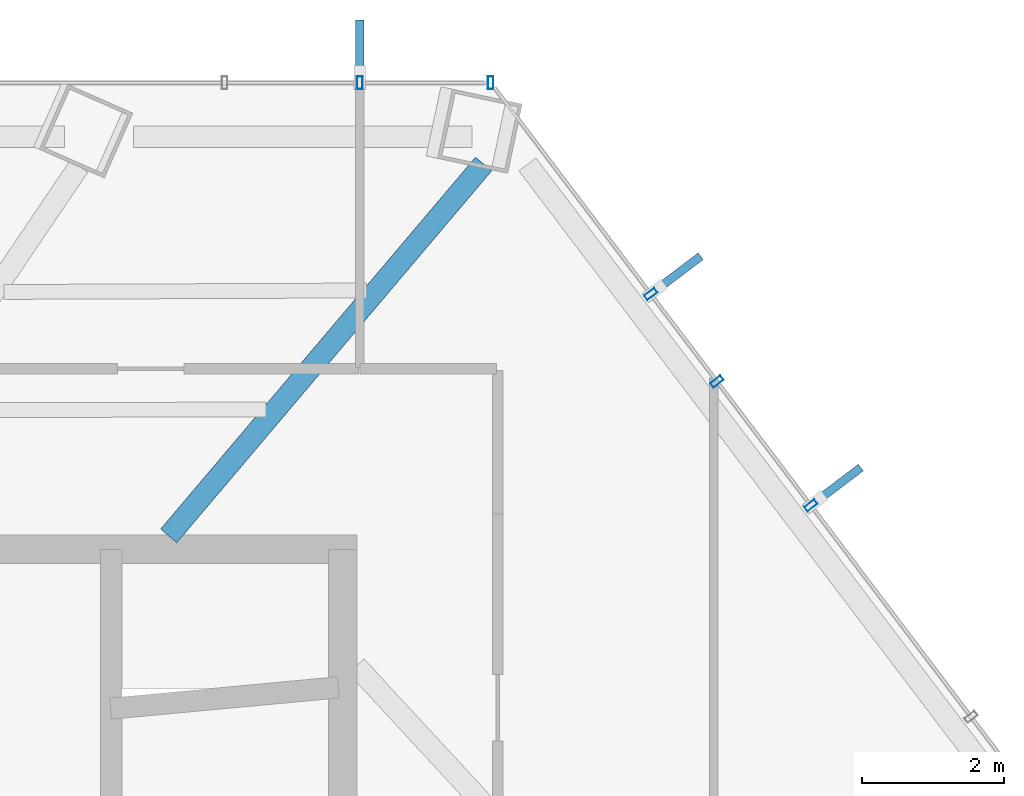
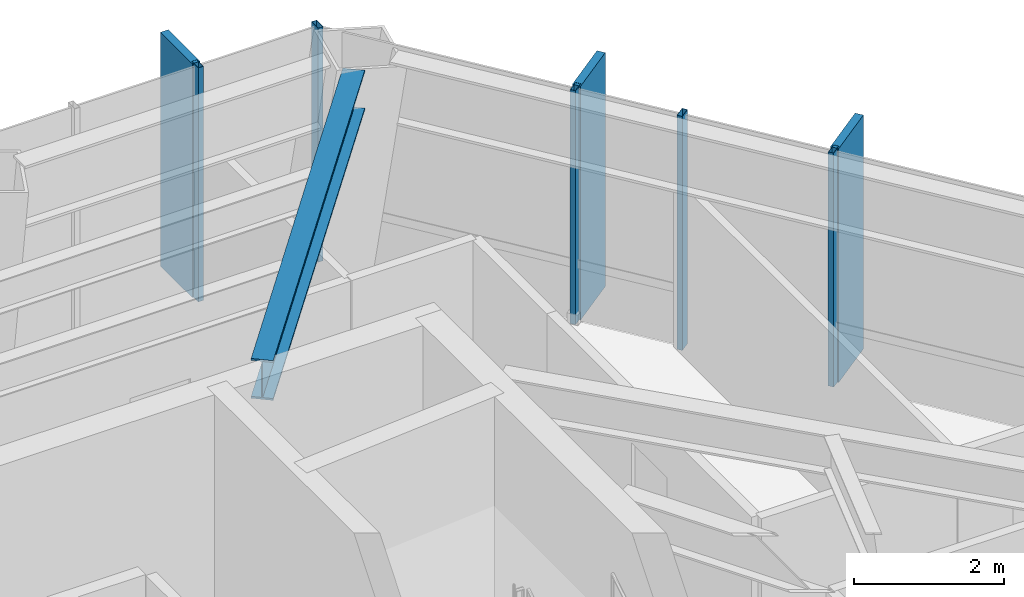
# One storey, part 22 of 27: 8 members, 1 beam, 2 elements without a shape of their own.
"""IFC4 building model written with IfcOpenShell, lengths in metres."""

from ifc_helpers import new_model, si_unit, direction, frame, origin, origin_2d, place, context, subcontext, project, spatial, rectangle, hollow_rectangle, i_section, extrude, material, layer, layer_set, material_profile, profile_set, type_object, element, aggregate, save


model = new_model("IFC4")

# Units and contexts
model_context = context("Model", 3, precision=1e-05, world=origin(), true_north=direction((0.0, 1.0)))
body_context = subcontext(model_context, "Body", "Model", "MODEL_VIEW")
ifc_project = project(units=[si_unit("LENGTHUNIT", "METRE"), si_unit("AREAUNIT", "SQUARE_METRE"), si_unit("VOLUMEUNIT", "CUBIC_METRE"), si_unit("PLANEANGLEUNIT", "RADIAN"), si_unit("MASSUNIT", "GRAM", prefix="KILO")], contexts=[model_context])

# Site, building, storey
site_placement = place(None, origin())
site = spatial("IfcSite", under=ifc_project, at=site_placement, CompositionType="ELEMENT")
building_placement = place(site_placement, origin())
building = spatial("IfcBuilding", under=site, at=building_placement, Name="Zarrinselat Tower", CompositionType="ELEMENT")
storey_placement = place(building_placement, frame((0.0, 0.0, 47.93994140625)))
storey = spatial("IfcBuildingStorey", under=building, at=storey_placement, Name="L11", CompositionType="ELEMENT", Elevation=47.93994140625)

# Beam
ifc_material_1 = material(Name="Steel S355J2", Category="steel")
ifc_material_profile_1 = material_profile(ifc_material_1, i_section(OverallWidth=0.300048828125, OverallDepth=0.64990234375, WebThickness=0.01611328125, FlangeThickness=0.031005859375, at=origin_2d()), Name="HEB 650")
ifc_profile_set_1 = profile_set([ifc_material_profile_1], Name="Steel S355J2")
beam_type = type_object("IfcBeamType", Name="BM-HEB650", PredefinedType="BEAM", material=ifc_profile_set_1)
beam_placement = place(storey_placement, frame((45.800048828125, 43.639892578125, 3.4951171875), z_axis=(0.646218754894, 0.763152226508, 0.0), x_axis=(-0.763152226508, 0.646218754894, 0.0)))
element("IfcBeam", 1, at=beam_placement, inside=storey, type_object=beam_type, Name="L11 Radial Primary Girder RG01", PredefinedType="BEAM", context=body_context, shape_type="SweptSolid", body=[
    extrude(i_section(OverallWidth=0.300048828125, OverallDepth=0.64990234375, WebThickness=0.01611328125, FlangeThickness=0.031005859375, at=origin_2d()), origin(), (0.0, 0.0, 1.0), 6.8857421875),
])

# Curtain wall, members
ifc_material_2 = material(Name="Extruded Aluminium Alloy EN AW-6063 T6", Category="aluminium")
ifc_layer = layer(ifc_material_2, 0.18505859375)
ifc_layer_set = layer_set([ifc_layer], Name="Extruded Aluminium Alloy EN AW-6063 T6")
curtain_wall_type = type_object("IfcCurtainWallType", Name="CWS-OFF", PredefinedType="NOTDEFINED", material=ifc_layer_set)
curtain_wall_1_placement = place(storey_placement, origin())
curtain_wall_1 = element("IfcCurtainWall", 2, at=curtain_wall_1_placement, inside=storey, type_object=curtain_wall_type, Name="L11 Unitised Curtain Wall CW-L11-E01", PredefinedType="NOTDEFINED")
ifc_material_3 = material(Name="Extruded Aluminium Alloy EN AW-6063 T6", Category="aluminium")
ifc_material_profile_2 = material_profile(ifc_material_3, hollow_rectangle(XDim=0.080078125, YDim=0.179931640625, WallThickness=0.0048828125, at=origin_2d()), Name="RHS 180x80x5")
ifc_profile_set_2 = profile_set([ifc_material_profile_2], Name="Extruded Aluminium Alloy EN AW-6063 T6")
member_type_1 = type_object("IfcMemberType", Name="MEM-CW-MUL", PredefinedType="MULLION", material=ifc_profile_set_2)
member_1_placement = place(storey_placement, frame((50.349365234375, 50.04443359375, 0.0), z_axis=(0.0, 0.0, 1.0), x_axis=(-1.0, 0.0, 0.0)))
member_1 = element("IfcMember", 3, at=member_1_placement, type_object=member_type_1, Name="CW-L11-E01 Mullion 0", PredefinedType="MULLION", context=body_context, shape_type="SweptSolid", body=[
    extrude(hollow_rectangle(XDim=0.080078125, YDim=0.179931640625, WallThickness=0.0048828125, at=origin_2d()), origin(), (0.0, 0.0, 1.0), 3.820068359375),
])
member_2_placement = place(storey_placement, frame((48.5, 50.04443359375, 0.0), z_axis=(0.0, 0.0, 1.0), x_axis=(-1.0, 0.0, 0.0)))
member_2 = element("IfcMember", 4, at=member_2_placement, type_object=member_type_1, Name="CW-L11-E01 Mullion 1", PredefinedType="MULLION", context=body_context, shape_type="SweptSolid", body=[
    extrude(hollow_rectangle(XDim=0.080078125, YDim=0.179931640625, WallThickness=0.0048828125, at=origin_2d()), origin(), (0.0, 0.0, 1.0), 3.820068359375),
])

curtain_wall_2_placement = place(storey_placement, origin())
curtain_wall_2 = element("IfcCurtainWall", 5, at=curtain_wall_2_placement, inside=storey, type_object=curtain_wall_type, Name="L11 Unitised Curtain Wall CW-L11-E06", PredefinedType="NOTDEFINED")
member_3_placement = place(storey_placement, frame((54.874755859375, 44.071044921875, 0.0), z_axis=(0.0, 0.0, 1.0), x_axis=(-0.603858304597, 0.797091681031, 0.0)))
member_3 = element("IfcMember", 6, at=member_3_placement, type_object=member_type_1, Name="CW-L11-E06 Mullion 3", PredefinedType="MULLION", context=body_context, shape_type="SweptSolid", body=[
    extrude(hollow_rectangle(XDim=0.080078125, YDim=0.179931640625, WallThickness=0.0048828125, at=origin_2d()), origin(), (0.0, 0.0, 1.0), 3.820068359375),
])
member_4_placement = place(storey_placement, frame((53.5478515625, 45.822509765625, 0.0), z_axis=(0.0, 0.0, 1.0), x_axis=(-0.603858304597, 0.797091681031, 0.0)))
member_4 = element("IfcMember", 7, at=member_4_placement, type_object=member_type_1, Name="CW-L11-E06 Mullion 4", PredefinedType="MULLION", context=body_context, shape_type="SweptSolid", body=[
    extrude(hollow_rectangle(XDim=0.080078125, YDim=0.179931640625, WallThickness=0.0048828125, at=origin_2d()), origin(), (0.0, 0.0, 1.0), 3.820068359375),
])
member_5_placement = place(storey_placement, frame((52.612060546875, 47.0576171875, 0.0), z_axis=(0.0, 0.0, 1.0), x_axis=(-0.603858304597, 0.797091681031, 0.0)))
member_5 = element("IfcMember", 8, at=member_5_placement, type_object=member_type_1, Name="CW-L11-E06 Mullion 5", PredefinedType="MULLION", context=body_context, shape_type="SweptSolid", body=[
    extrude(hollow_rectangle(XDim=0.080078125, YDim=0.179931640625, WallThickness=0.0048828125, at=origin_2d()), origin(), (0.0, 0.0, 1.0), 3.820068359375),
])

# Member
ifc_material_4 = material(Name="Honed Cream Travertine Stone", Category="masonry")
ifc_material_profile_3 = material_profile(ifc_material_4, rectangle(XDim=0.1201171875, YDim=0.85009765625, at=origin_2d()), Name="FIN 850x120")
ifc_profile_set_3 = profile_set([ifc_material_profile_3], Name="Honed Cream Travertine Stone")
member_type_2 = type_object("IfcMemberType", Name="MEM-STONE-FIN", PredefinedType="USERDEFINED", material=ifc_profile_set_3)
member_6_placement = place(storey_placement, frame((48.5, 50.50439453125, 0.0), z_axis=(0.0, 0.0, 1.0), x_axis=(1.0, 0.0, 0.0)))
member_6 = element("IfcMember", 9, at=member_6_placement, type_object=member_type_2, Name="L11 Stone Shading Fin CW-L11-E01-01", ObjectType="FIN", PredefinedType="USERDEFINED", context=body_context, shape_type="SweptSolid", body=[
    extrude(rectangle(XDim=0.1201171875, YDim=0.85009765625, at=origin_2d()), origin(), (0.0, 0.0, 1.0), 3.820068359375),
])

aggregate(curtain_wall_1, [member_1, member_2, member_6])

member_7_placement = place(storey_placement, frame((55.241455078125, 44.348876953125, 0.0), z_axis=(0.0, 0.0, 1.0), x_axis=(0.603858304597, -0.797091681031, 0.0)))
member_7 = element("IfcMember", 10, at=member_7_placement, type_object=member_type_2, Name="L11 Stone Shading Fin CW-L11-E06-03", ObjectType="FIN", PredefinedType="USERDEFINED", context=body_context, shape_type="SweptSolid", body=[
    extrude(rectangle(XDim=0.1201171875, YDim=0.85009765625, at=origin_2d()), origin(), (0.0, 0.0, 1.0), 3.820068359375),
])

member_8_placement = place(storey_placement, frame((52.978759765625, 47.33544921875, 0.0), z_axis=(0.0, 0.0, 1.0), x_axis=(0.603858304597, -0.797091681031, 0.0)))
member_8 = element("IfcMember", 11, at=member_8_placement, type_object=member_type_2, Name="L11 Stone Shading Fin CW-L11-E06-05", ObjectType="FIN", PredefinedType="USERDEFINED", context=body_context, shape_type="SweptSolid", body=[
    extrude(rectangle(XDim=0.1201171875, YDim=0.85009765625, at=origin_2d()), origin(), (0.0, 0.0, 1.0), 3.820068359375),
])

aggregate(curtain_wall_2, [member_3, member_7, member_4, member_5, member_8])

save(model, "model.ifc")
